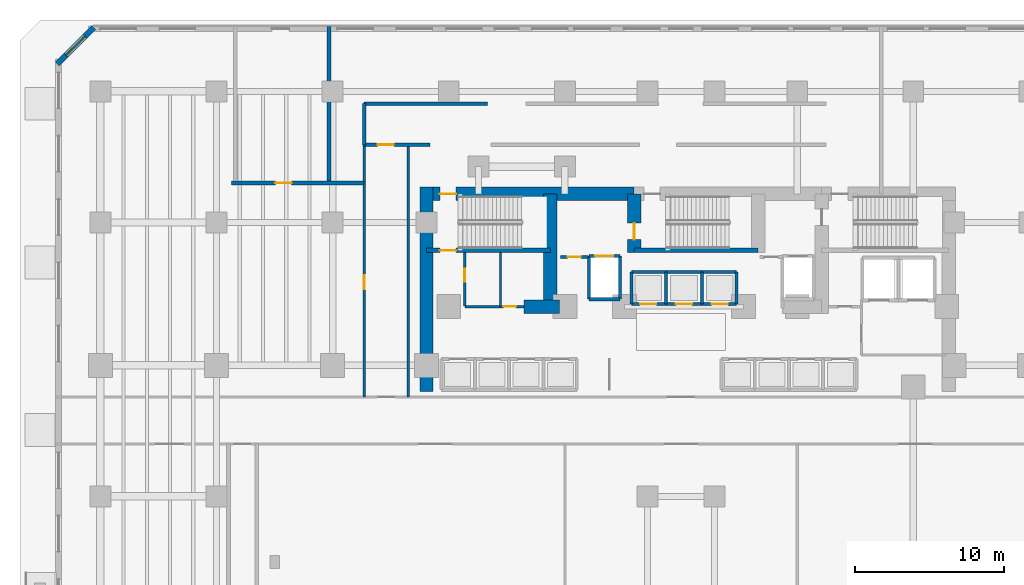
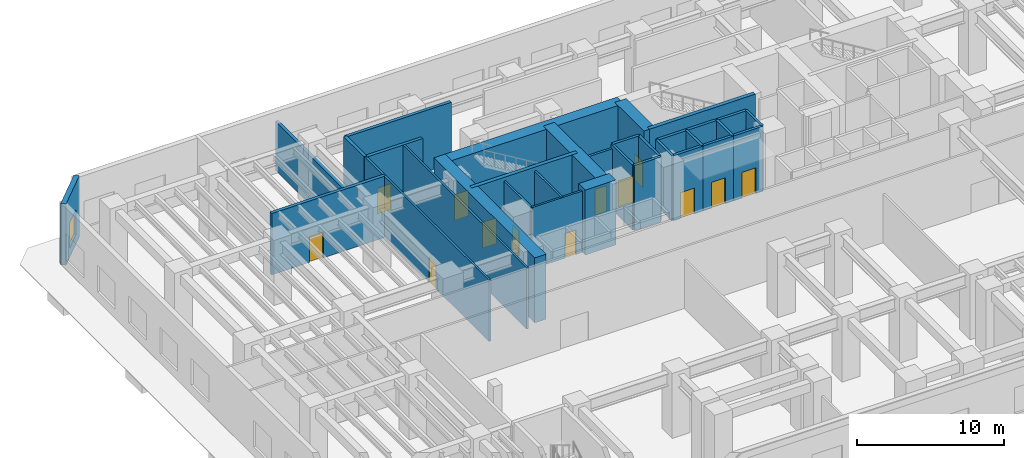
# One storey, part 8 of 17: 33 walls, 13 doors, 1 window, 14 openings.
"""IFC4 building model written with IfcOpenShell, lengths in metres."""

import ifcopenshell
import ifcopenshell.guid

model = None  # the IFC model being written
_history = None  # IfcOwnerHistory: only IFC2X3 demands one
_inside = {}  # id of a spatial element -> (the spatial element, [elements in it])
_under = {}  # id of a project, library or spatial element -> (it, [spatial elements below it])
_declared = {}  # id of a project -> (the project, [libraries it declares])
_typed = {}  # id of a type object -> (the type object, [elements of that type])
_made_of = {}  # id of a material, layer set ... -> (it, [elements and type objects made of it])


def new_model(schema):
    """Start an empty IFC model of exactly this schema.

    Asked for "IFC4X3", IfcOpenShell would pick the latest addendum, in which some entities
    have other attributes; the version numbers below select the first issue.
    IFC2X3 requires an IfcOwnerHistory on every rooted entity: one is made here for all.
    """
    global model, _history
    if schema == "IFC4X3":
        model = ifcopenshell.file(schema_version=(4, 3, 0, 0))
    else:
        model = ifcopenshell.file(schema=schema)
    _inside.clear()
    _under.clear()
    _declared.clear()
    _typed.clear()
    _made_of.clear()
    _history = None
    if model.schema == "IFC2X3":
        org = make("IfcOrganization", Name="unknown")
        user = make(
            "IfcPersonAndOrganization",
            ThePerson=make("IfcPerson", FamilyName="unknown"),
            TheOrganization=org,
        )
        app = make(
            "IfcApplication",
            ApplicationDeveloper=org,
            Version="unknown",
            ApplicationFullName="unknown",
            ApplicationIdentifier="unknown",
        )
        _history = make(
            "IfcOwnerHistory",
            OwningUser=user,
            OwningApplication=app,
            ChangeAction="ADDED",
            CreationDate=0,
        )
    return model


def make(cls, **values):
    """One entity of the class cls with the attributes given. An attribute that is None is left unset."""
    return model.create_entity(
        cls, **{name: value for name, value in values.items() if value is not None}
    )


def rooted(cls, **values):
    """An entity with a GlobalId (a new one), such as an element, a storey or a relation."""
    return make(cls, GlobalId=ifcopenshell.guid.new(), OwnerHistory=_history, **values)


def si_unit(unit_type, name, prefix=None):
    """IfcSIUnit, for example si_unit("LENGTHUNIT", "METRE", prefix="MILLI")."""
    return make("IfcSIUnit", UnitType=unit_type, Prefix=prefix, Name=name)


def assignment(units):
    """IfcUnitAssignment: the units of a project."""
    return None if units is None else make("IfcUnitAssignment", Units=units)


def point(xyz):
    """IfcCartesianPoint."""
    return None if xyz is None else make("IfcCartesianPoint", Coordinates=xyz)


def direction(xyz):
    """IfcDirection."""
    return None if xyz is None else make("IfcDirection", DirectionRatios=xyz)


def frame(location, z_axis=None, x_axis=None):
    """IfcAxis2Placement3D, a coordinate frame: its origin and axes. An axis left out is left unset."""
    return make(
        "IfcAxis2Placement3D",
        Location=point(location),
        Axis=direction(z_axis),
        RefDirection=direction(x_axis),
    )


def frame_2d(location, x_axis=None):
    """IfcAxis2Placement2D, a coordinate frame in the plane: its origin and x axis."""
    return make(
        "IfcAxis2Placement2D", Location=point(location), RefDirection=direction(x_axis)
    )


def origin():
    """The frame at (0, 0, 0) with its axes left unset."""
    return frame((0.0, 0.0, 0.0))


def place(relative_to, where):
    """IfcLocalPlacement: puts the frame where relative to a parent placement (None: the world)."""
    return make(
        "IfcLocalPlacement", PlacementRelTo=relative_to, RelativePlacement=where
    )


def context(
    kind, dimensions, precision=None, world=None, true_north=None, identifier=None
):
    """IfcGeometricRepresentationContext, for example the 3D "Model" context."""
    return make(
        "IfcGeometricRepresentationContext",
        ContextIdentifier=identifier,
        ContextType=kind,
        CoordinateSpaceDimension=dimensions,
        Precision=precision,
        WorldCoordinateSystem=world,
        TrueNorth=true_north,
    )


def subcontext(parent, identifier, kind, view, scale=None):
    """IfcGeometricRepresentationSubContext, for example "Body" below "Model"."""
    return make(
        "IfcGeometricRepresentationSubContext",
        ContextIdentifier=identifier,
        ContextType=kind,
        ParentContext=parent,
        TargetScale=scale,
        TargetView=view,
    )


def project(units=None, contexts=None):
    """IfcProject with its units and contexts."""
    return rooted(
        "IfcProject",
        Name="project",
        RepresentationContexts=contexts,
        UnitsInContext=assignment(units),
    )


def spatial(cls, under=None, at=None, **own):
    """A site, building, storey or space (cls), placed at a placement, below another one or the project."""
    s = rooted(cls, ObjectPlacement=at, **own)
    if under is not None:
        _under.setdefault(under.id(), (under, []))[1].append(s)
    return s


def profile(cls, at=None, kind="AREA", **sizes):
    """A parametric profile (cls). Its sizes go by their IFC names, for example OverallWidth=200.0."""
    return make(cls, ProfileType=kind, Position=at, **sizes)


def rectangle(**sizes):
    """IfcRectangleProfileDef."""
    return profile("IfcRectangleProfileDef", **sizes)


def extrude(swept, where, along, depth):
    """IfcExtrudedAreaSolid: the profile swept, set in the frame where, extruded along a direction by depth."""
    return make(
        "IfcExtrudedAreaSolid",
        SweptArea=swept,
        Position=where,
        ExtrudedDirection=direction(along),
        Depth=depth,
    )


def shape(context_of_items, identifier, shape_type, items):
    """IfcShapeRepresentation: the items that make up one representation, for example the "Body"."""
    return make(
        "IfcShapeRepresentation",
        ContextOfItems=context_of_items,
        RepresentationIdentifier=identifier,
        RepresentationType=shape_type,
        Items=items,
    )


def material(Name=None, Category=None):
    """IfcMaterial."""
    return make("IfcMaterial", Name=Name, Category=Category)


def layer(
    of_material, thickness, ventilated=None, Name=None, Category=None, Priority=None
):
    """IfcMaterialLayer: one layer of a wall or slab, of a material (None: an air gap)."""
    return make(
        "IfcMaterialLayer",
        Material=of_material,
        LayerThickness=thickness,
        IsVentilated=ventilated,
        Name=Name,
        Category=Category,
        Priority=Priority,
    )


def layer_set(layers, Name=None):
    """IfcMaterialLayerSet."""
    return make("IfcMaterialLayerSet", MaterialLayers=layers, LayerSetName=Name)


def made_of(thing, what):
    """Note that an element or type object is made of a material, layer set ...; save() writes the relation."""
    if what is not None:
        _made_of.setdefault(what.id(), (what, []))[1].append(thing)
    return thing


def type_object(cls, material=None, **own):
    """A type object (cls), such as IfcWallType, which elements share."""
    return made_of(rooted(cls, **own), material)


def element(
    cls,
    number,
    at=None,
    inside=None,
    cuts=None,
    type_object=None,
    material=None,
    context=None,
    identifier="Body",
    shape_type=None,
    held_by="IfcProductDefinitionShape",
    body=None,
    shapes=None,
    **own,
):
    """One element of the class cls, such as IfcWall. Its Tag is "e" and its number.

    at: its placement. inside: the storey or other place that contains it. cuts: it is an
    opening in that element (IfcRelVoidsElement). A single representation is given by context,
    identifier, shape_type and body (its items); several are given by shapes. held_by: the class
    of the entity that holds the representations. save() writes the other relations.
    """
    e = rooted(cls, Tag="e%d" % number, ObjectPlacement=at, **own)
    if body is not None:
        shapes = [shape(context, identifier, shape_type, body)]
    if shapes is not None:
        e.Representation = make(held_by, Representations=shapes)
    if inside is not None:
        _inside.setdefault(inside.id(), (inside, []))[1].append(e)
    if cuts is not None:
        rooted(
            "IfcRelVoidsElement", RelatingBuildingElement=cuts, RelatedOpeningElement=e
        )
    if type_object is not None:
        _typed.setdefault(type_object.id(), (type_object, []))[1].append(e)
    return made_of(e, material)


def fill(opening, filler):
    """IfcRelFillsElement: the door or window that sits in an opening."""
    return rooted(
        "IfcRelFillsElement",
        RelatingOpeningElement=opening,
        RelatedBuildingElement=filler,
    )


def aggregate(whole, parts):
    """IfcRelAggregates: a whole, such as a stair, and the parts it consists of."""
    return rooted("IfcRelAggregates", RelatingObject=whole, RelatedObjects=parts)


def save(model, path):
    """Write the relations noted so far, then the file.

    IfcRelAggregates (storeys below a building ...), IfcRelContainedInSpatialStructure (elements
    in a storey), IfcRelDefinesByType, IfcRelAssociatesMaterial and IfcRelDeclares: one each for
    every whole, place, type object, material and project.
    """
    for whole, parts in _under.values():
        aggregate(whole, parts)
    for where, things in _inside.values():
        rooted(
            "IfcRelContainedInSpatialStructure",
            RelatedElements=things,
            RelatingStructure=where,
        )
    for kind, things in _typed.values():
        rooted("IfcRelDefinesByType", RelatedObjects=things, RelatingType=kind)
    for what, things in _made_of.values():
        rooted("IfcRelAssociatesMaterial", RelatedObjects=things, RelatingMaterial=what)
    for by, libraries in _declared.values():
        rooted("IfcRelDeclares", RelatingContext=by, RelatedDefinitions=libraries)
    model.write(path)


model = new_model("IFC4")

# Units and contexts
model_context = context("Model", 3, precision=1e-05, world=origin(), true_north=direction((0.0, 1.0)))
body_context = subcontext(model_context, "Body", "Model", "MODEL_VIEW")
ifc_project = project(units=[si_unit("LENGTHUNIT", "METRE"), si_unit("AREAUNIT", "SQUARE_METRE"), si_unit("VOLUMEUNIT", "CUBIC_METRE"), si_unit("PLANEANGLEUNIT", "RADIAN"), si_unit("MASSUNIT", "GRAM", prefix="KILO")], contexts=[model_context])

# Site, building, storey
site_placement = place(None, origin())
site = spatial("IfcSite", under=ifc_project, at=site_placement, CompositionType="ELEMENT")
building_placement = place(site_placement, origin())
building = spatial("IfcBuilding", under=site, at=building_placement, Name="Kestravale Grand Hotel", CompositionType="ELEMENT")
storey_placement = place(building_placement, origin())
storey = spatial("IfcBuildingStorey", under=building, at=storey_placement, Name="L00", CompositionType="ELEMENT", Elevation=0.0)

# Wall, opening, door
ifc_material_1 = material(Name="Concrete f'c 70 MPa", Category="concrete")
ifc_layer_1 = layer(ifc_material_1, 0.89990234375)
ifc_layer_set_1 = layer_set([ifc_layer_1], Name="EW-CORE-900")
wall_type_1 = type_object("IfcWallType", Name="EW-CORE-900", PredefinedType="SHEAR", material=ifc_layer_set_1)
wall_1_placement = place(storey_placement, frame((21.449951171875, 40.320068359375, 0.0), z_axis=(0.0, 0.0, 1.0), x_axis=(1.0, 0.0, 0.0)))
wall_1 = element("IfcWall", 1, at=wall_1_placement, inside=storey, type_object=wall_type_1, Name="L00 core shear wall N1", PredefinedType="SHEAR", context=body_context, shape_type="SweptSolid", body=[
    extrude(rectangle(XDim=14.400146484375, YDim=0.89990234375, at=frame_2d((7.2001953125, 0.0))), origin(), (0.0, 0.0, 1.0), 5.39990234375),
])
opening_1_placement = place(wall_1_placement, frame((1.35009765625, 0.0, 0.0)))
opening_1 = element("IfcOpeningElement", 2, at=opening_1_placement, cuts=wall_1, Name="Opening D-ST-1100", PredefinedType="OPENING", context=body_context, shape_type="SweptSolid", body=[
    extrude(rectangle(XDim=1.10009765625, YDim=2.14990234375, at=frame_2d((0.550048828125, 1.074951171875))), frame((0.0, 0.4599609375, 0.0), z_axis=(0.0, -1.0, 0.0), x_axis=(1.0, 0.0, 0.0)), (0.0, 0.0, 1.0), 0.919921875),
])
ifc_material_2 = material(Name="Galvanised 90-minute fire-rated steel stair door", Category="steel")
door_type_1 = type_object("IfcDoorType", Name="D-ST-1100", OperationType="NOTDEFINED", PredefinedType="DOOR", material=ifc_material_2)
door_1_placement = place(opening_1_placement, origin())
door_1 = element("IfcDoor", 3, at=door_1_placement, inside=storey, type_object=door_type_1, Name="L00 Stair ST1 exit passageway discharge door", OperationType="SINGLE_SWING_LEFT", OverallHeight=2.14990234375, OverallWidth=1.10009765625, PredefinedType="DOOR", context=body_context, shape_type="SweptSolid", body=[
    extrude(rectangle(XDim=1.10009765625, YDim=2.14990234375, at=frame_2d((0.550048828125, 1.074951171875))), frame((0.0, 0.02490234375, 0.0), z_axis=(0.0, -1.0, 0.0), x_axis=(1.0, 0.0, 0.0)), (0.0, 0.0, 1.0), 0.050048828125),
])
fill(opening_1, door_1)

# Walls
wall_2_placement = place(storey_placement, frame((21.89990234375, 27.050048828125, 0.0), z_axis=(0.0, 0.0, 1.0), x_axis=(0.0, 1.0, 0.0)))
element("IfcWall", 4, at=wall_2_placement, inside=storey, type_object=wall_type_1, Name="L00 core shear wall W1", PredefinedType="SHEAR", context=body_context, shape_type="SweptSolid", body=[
    extrude(rectangle(XDim=13.719970703125, YDim=0.89990234375, at=frame_2d((6.85986328125, 0.0))), origin(), (0.0, 0.0, 1.0), 5.39990234375),
])
wall_3_placement = place(storey_placement, frame((28.449951171875, 32.75, 0.0), z_axis=(0.0, 0.0, 1.0), x_axis=(1.0, 0.0, 0.0)))
element("IfcWall", 5, at=wall_3_placement, inside=storey, type_object=wall_type_1, Name="L00 core shear wall S1", PredefinedType="SHEAR", context=body_context, shape_type="SweptSolid", body=[
    extrude(rectangle(XDim=2.400146484375, YDim=0.89990234375, at=frame_2d((1.2001953125, 0.0))), origin(), (0.0, 0.0, 1.0), 5.39990234375),
])
wall_4_placement = place(storey_placement, frame((30.219970703125, 33.199951171875, 0.0), z_axis=(0.0, 0.0, 1.0), x_axis=(0.0, 1.0, 0.0)))
element("IfcWall", 6, at=wall_4_placement, inside=storey, type_object=wall_type_1, Name="L00 core shear wall X1", PredefinedType="SHEAR", context=body_context, shape_type="SweptSolid", body=[
    extrude(rectangle(XDim=7.1201171875, YDim=0.89990234375, at=frame_2d((3.56005859375, 0.0))), origin(), (0.0, 0.0, 1.0), 5.39990234375),
])

# Wall, opening, door
wall_5_placement = place(storey_placement, frame((35.85009765625, 36.3701171875, 0.0), z_axis=(0.0, 0.0, 1.0), x_axis=(0.0, 1.0, 0.0)))
wall_5 = element("IfcWall", 7, at=wall_5_placement, inside=storey, type_object=wall_type_1, Name="L00 core shear wall X2", PredefinedType="SHEAR", context=body_context, shape_type="SweptSolid", body=[
    extrude(rectangle(XDim=3.949951171875, YDim=0.89990234375, at=frame_2d((1.97509765625, 0.0))), origin(), (0.0, 0.0, 1.0), 5.39990234375),
])
opening_2_placement = place(wall_5_placement, frame((0.8798828125, 0.0, 0.0)))
opening_2 = element("IfcOpeningElement", 8, at=opening_2_placement, cuts=wall_5, Name="Opening D-ST-1100", PredefinedType="OPENING", context=body_context, shape_type="SweptSolid", body=[
    extrude(rectangle(XDim=1.10009765625, YDim=2.14990234375, at=frame_2d((0.550048828125, 1.074951171875))), frame((0.0, 0.4599609375, 0.0), z_axis=(0.0, -1.0, 0.0), x_axis=(1.0, 0.0, 0.0)), (0.0, 0.0, 1.0), 0.919921875),
])
door_2_placement = place(opening_2_placement, origin())
door_2 = element("IfcDoor", 9, at=door_2_placement, inside=storey, type_object=door_type_1, Name="L00 Stair ST-2 FSAE fire door", OperationType="SINGLE_SWING_RIGHT", OverallHeight=2.14990234375, OverallWidth=1.10009765625, PredefinedType="DOOR", context=body_context, shape_type="SweptSolid", body=[
    extrude(rectangle(XDim=1.10009765625, YDim=2.14990234375, at=frame_2d((0.550048828125, 1.074951171875))), frame((0.0, 0.02490234375, 0.0), z_axis=(0.0, -1.0, 0.0), x_axis=(1.0, 0.0, 0.0)), (0.0, 0.0, 1.0), 0.050048828125),
])
fill(opening_2, door_2)

# Wall, opening, window
ifc_material_3 = material(Name="Precast concrete f'c 45 MPa", Category="concrete")
ifc_layer_2 = layer(ifc_material_3, 0.3798828125)
ifc_layer_set_2 = layer_set([ifc_layer_2], Name="EW-POD-380")
wall_type_2 = type_object("IfcWallType", Name="EW-POD-380", PredefinedType="SOLIDWALL", material=ifc_layer_set_2)
wall_6_placement = place(storey_placement, frame((-2.893798828125, 49.037353515625, 0.0), z_axis=(0.0, 0.0, 1.0), x_axis=(0.707071641081, 0.707141919546, 0.0)))
wall_6 = element("IfcWall", 10, at=wall_6_placement, inside=storey, type_object=wall_type_2, Name="L00 fluted precast facade wall 6", PredefinedType="SOLIDWALL", context=body_context, shape_type="SweptSolid", body=[
    extrude(rectangle(XDim=3.473876953125, YDim=0.3798828125, at=frame_2d((1.73681640625, 0.0))), origin(), (0.0, 0.0, 1.0), 5.10009765625),
])
opening_3_placement = place(wall_6_placement, frame((0.8369140625, 0.0, 0.800048828125)))
opening_3 = element("IfcOpeningElement", 11, at=opening_3_placement, cuts=wall_6, Name="Opening W-POD-1800", PredefinedType="OPENING", context=body_context, shape_type="SweptSolid", body=[
    extrude(rectangle(XDim=1.800048828125, YDim=2.10009765625, at=frame_2d((0.89990234375, 1.050048828125))), frame((0.0, 0.199951171875, 0.0), z_axis=(0.0, -1.0, 0.0), x_axis=(1.0, 0.0, 0.0)), (0.0, 0.0, 1.0), 0.39990234375),
])
ifc_material_4 = material(Name="Insulated low-E double glazing in aluminium frame", Category="aluminium")
window_type = type_object("IfcWindowType", Name="W-POD-1800", PartitioningType="DOUBLE_PANEL_VERTICAL", PredefinedType="WINDOW", material=ifc_material_4)
window_placement = place(opening_3_placement, origin())
window = element("IfcWindow", 12, at=window_placement, inside=storey, type_object=window_type, Name="L00 exterior window 6.1", OverallHeight=2.10009765625, OverallWidth=1.800048828125, PartitioningType="SINGLE_PANEL", PredefinedType="WINDOW", context=body_context, shape_type="SweptSolid", body=[
    extrude(rectangle(XDim=1.800048828125, YDim=2.10009765625, at=frame_2d((0.89990234375, 1.050048828125))), frame((0.0, 0.030029296875, 0.0), z_axis=(0.0, -1.0, 0.0), x_axis=(1.0, 0.0, 0.0)), (0.0, 0.0, 1.0), 0.06005859375),
])
fill(opening_3, window)

# Wall, opening, door
ifc_material_5 = material(Name="Concrete f'c 45 MPa", Category="concrete")
ifc_layer_3 = layer(ifc_material_5, 0.300048828125)
ifc_layer_set_3 = layer_set([ifc_layer_3], Name="EW-STAIR-300")
wall_type_3 = type_object("IfcWallType", Name="EW-STAIR-300", PredefinedType="SHEAR", material=ifc_layer_set_3)
wall_7_placement = place(storey_placement, frame((21.89990234375, 36.52001953125, 0.0), z_axis=(0.0, 0.0, 1.0), x_axis=(1.0, 0.0, 0.0)))
wall_7 = element("IfcWall", 13, at=wall_7_placement, inside=storey, type_object=wall_type_3, Name="L00 stair enclosure shear wall SST1", PredefinedType="SHEAR", context=body_context, shape_type="SweptSolid", body=[
    extrude(rectangle(XDim=8.320068359375, YDim=0.300048828125, at=frame_2d((4.16015625, 0.0))), origin(), (0.0, 0.0, 1.0), 5.39990234375),
])
opening_4_placement = place(wall_7_placement, frame((0.89990234375, 0.0, 0.0)))
opening_4 = element("IfcOpeningElement", 14, at=opening_4_placement, cuts=wall_7, Name="Opening D-ST-1100", PredefinedType="OPENING", context=body_context, shape_type="SweptSolid", body=[
    extrude(rectangle(XDim=1.10009765625, YDim=2.14990234375, at=frame_2d((0.550048828125, 1.074951171875))), frame((0.0, 0.159912109375, 0.0), z_axis=(0.0, -1.0, 0.0), x_axis=(1.0, 0.0, 0.0)), (0.0, 0.0, 1.0), 0.320068359375),
])
door_3_placement = place(opening_4_placement, origin())
door_3 = element("IfcDoor", 15, at=door_3_placement, inside=storey, type_object=door_type_1, Name="L00 Stair ST-1 fire door", OperationType="SINGLE_SWING_RIGHT", OverallHeight=2.14990234375, OverallWidth=1.10009765625, PredefinedType="DOOR", context=body_context, shape_type="SweptSolid", body=[
    extrude(rectangle(XDim=1.10009765625, YDim=2.14990234375, at=frame_2d((0.550048828125, 1.074951171875))), frame((0.0, 0.02490234375, 0.0), z_axis=(0.0, -1.0, 0.0), x_axis=(1.0, 0.0, 0.0)), (0.0, 0.0, 1.0), 0.050048828125),
])
fill(opening_4, door_3)

# Wall
wall_8_placement = place(storey_placement, frame((35.85009765625, 36.52001953125, 0.0), z_axis=(0.0, 0.0, 1.0), x_axis=(1.0, 0.0, 0.0)))
element("IfcWall", 16, at=wall_8_placement, inside=storey, type_object=wall_type_3, Name="L00 stair enclosure shear wall SST2", PredefinedType="SHEAR", context=body_context, shape_type="SweptSolid", body=[
    extrude(rectangle(XDim=8.329833984375, YDim=0.300048828125, at=frame_2d((4.1650390625, 0.0))), origin(), (0.0, 0.0, 1.0), 5.39990234375),
])

# Wall, opening, door
ifc_material_6 = material(Name="Acoustic fire-rated gypsum board partition", Category="other")
ifc_layer_4 = layer(ifc_material_6, 0.159912109375)
ifc_layer_set_4 = layer_set([ifc_layer_4], Name="IW-CORR-160")
wall_type_4 = type_object("IfcWallType", Name="IW-CORR-160", PredefinedType="PARTITIONING", material=ifc_layer_set_4)
wall_9_placement = place(storey_placement, frame((24.47998046875, 32.800048828125, 0.0), z_axis=(0.0, 0.0, 1.0), x_axis=(0.0, 1.0, 0.0)))
wall_9 = element("IfcWall", 17, at=wall_9_placement, inside=storey, type_object=wall_type_4, Name="L00 west core vestibule wall", PredefinedType="PARTITIONING", context=body_context, shape_type="SweptSolid", body=[
    extrude(rectangle(XDim=3.570068359375, YDim=0.159912109375, at=frame_2d((1.78515625, 0.0))), origin(), (0.0, 0.0, 1.0), 5.10009765625),
])
opening_5_placement = place(wall_9_placement, frame((1.603515625, 0.0, 0.0)))
opening_5 = element("IfcOpeningElement", 18, at=opening_5_placement, cuts=wall_9, Name="Opening D-SH-900", PredefinedType="OPENING", context=body_context, shape_type="SweptSolid", body=[
    extrude(rectangle(XDim=0.89990234375, YDim=2.10009765625, at=frame_2d((0.449951171875, 1.050048828125))), frame((0.0, 0.08984375, 0.0), z_axis=(0.0, -1.0, 0.0), x_axis=(1.0, 0.0, 0.0)), (0.0, 0.0, 1.0), 0.179931640625),
])
ifc_material_7 = material(Name="Galvanised 90-minute shaft and service fire door", Category="steel")
door_type_2 = type_object("IfcDoorType", Name="D-SH-900", OperationType="NOTDEFINED", PredefinedType="DOOR", material=ifc_material_7)
door_4_placement = place(opening_5_placement, origin())
door_4 = element("IfcDoor", 19, at=door_4_placement, inside=storey, type_object=door_type_2, Name="D-L00-HK", OperationType="SINGLE_SWING_RIGHT", OverallHeight=2.10009765625, OverallWidth=0.89990234375, PredefinedType="DOOR", context=body_context, shape_type="SweptSolid", body=[
    extrude(rectangle(XDim=0.89990234375, YDim=2.10009765625, at=frame_2d((0.449951171875, 1.050048828125))), frame((0.0, 0.02490234375, 0.0), z_axis=(0.0, -1.0, 0.0), x_axis=(1.0, 0.0, 0.0)), (0.0, 0.0, 1.0), 0.050048828125),
])
fill(opening_5, door_4)

wall_10_placement = place(storey_placement, frame((24.47998046875, 32.75, 0.0), z_axis=(0.0, 0.0, 1.0), x_axis=(1.0, 0.0, 0.0)))
wall_10 = element("IfcWall", 20, at=wall_10_placement, inside=storey, type_object=wall_type_4, Name="W-L00-CWS", PredefinedType="PARTITIONING", context=body_context, shape_type="SweptSolid", body=[
    extrude(rectangle(XDim=3.969970703125, YDim=0.159912109375, at=frame_2d((1.98486328125, 0.0))), origin(), (0.0, 0.0, 1.0), 5.10009765625),
])
opening_6_placement = place(wall_10_placement, frame((2.5849609375, 0.0, 0.0)))
opening_6 = element("IfcOpeningElement", 21, at=opening_6_placement, cuts=wall_10, Name="Opening D-SH-860", PredefinedType="OPENING", context=body_context, shape_type="SweptSolid", body=[
    extrude(rectangle(XDim=0.860107421875, YDim=2.050048828125, at=frame_2d((0.43017578125, 1.02490234375))), frame((0.0, 0.08984375, 0.0), z_axis=(0.0, -1.0, 0.0), x_axis=(1.0, 0.0, 0.0)), (0.0, 0.0, 1.0), 0.179931640625),
])
ifc_material_8 = material(Name="Galvanised 90-minute riser fire door", Category="steel")
door_type_3 = type_object("IfcDoorType", Name="D-SH-860", OperationType="NOTDEFINED", PredefinedType="DOOR", material=ifc_material_8)
door_5_placement = place(opening_6_placement, origin())
door_5 = element("IfcDoor", 22, at=door_5_placement, inside=storey, type_object=door_type_3, Name="D-L00-ELEC", OperationType="SINGLE_SWING_RIGHT", OverallHeight=2.050048828125, OverallWidth=0.860107421875, PredefinedType="DOOR", context=body_context, shape_type="SweptSolid", body=[
    extrude(rectangle(XDim=0.860107421875, YDim=2.050048828125, at=frame_2d((0.43017578125, 1.02490234375))), frame((0.0, 0.02490234375, 0.0), z_axis=(0.0, -1.0, 0.0), x_axis=(1.0, 0.0, 0.0)), (0.0, 0.0, 1.0), 0.050048828125),
])
fill(opening_6, door_5)

wall_11_placement = place(storey_placement, frame((17.719970703125, 26.679931640625, 0.0), z_axis=(0.0, 0.0, 1.0), x_axis=(0.0, 1.0, 0.0)))
wall_11 = element("IfcWall", 23, at=wall_11_placement, inside=storey, type_object=wall_type_4, Name="W-L00-WNC-W", PredefinedType="PARTITIONING", context=body_context, shape_type="SweptSolid", body=[
    extrude(rectangle(XDim=16.940185546875, YDim=0.159912109375, at=frame_2d((8.47021484375, 0.0))), origin(), (0.0, 0.0, 1.0), 5.10009765625),
])
opening_7_placement = place(wall_11_placement, frame((7.239501953125, 0.0, 0.0)))
opening_7 = element("IfcOpeningElement", 24, at=opening_7_placement, cuts=wall_11, Name="Opening D-GUEST-950", PredefinedType="OPENING", context=body_context, shape_type="SweptSolid", body=[
    extrude(rectangle(XDim=0.949951171875, YDim=2.10009765625, at=frame_2d((0.47509765625, 1.050048828125))), frame((0.0, 0.08984375, 0.0), z_axis=(0.0, -1.0, 0.0), x_axis=(1.0, 0.0, 0.0)), (0.0, 0.0, 1.0), 0.179931640625),
])
ifc_material_9 = material(Name="Walnut veneer hotel guestroom entrance fire door", Category="wood")
door_type_4 = type_object("IfcDoorType", Name="D-GUEST-950", OperationType="NOTDEFINED", PredefinedType="DOOR", material=ifc_material_9)
door_6_placement = place(opening_7_placement, origin())
door_6 = element("IfcDoor", 25, at=door_6_placement, inside=storey, type_object=door_type_4, Name="D-L00-LUGG", OperationType="SINGLE_SWING_RIGHT", OverallHeight=2.10009765625, OverallWidth=0.949951171875, PredefinedType="DOOR", context=body_context, shape_type="SweptSolid", body=[
    extrude(rectangle(XDim=0.949951171875, YDim=2.10009765625, at=frame_2d((0.47509765625, 1.050048828125))), frame((0.0, 0.02490234375, 0.0), z_axis=(0.0, -1.0, 0.0), x_axis=(1.0, 0.0, 0.0)), (0.0, 0.0, 1.0), 0.050048828125),
])
fill(opening_7, door_6)

# Wall
wall_12_placement = place(storey_placement, frame((20.679931640625, 26.679931640625, 0.0), z_axis=(0.0, 0.0, 1.0), x_axis=(0.0, 1.0, 0.0)))
element("IfcWall", 26, at=wall_12_placement, inside=storey, type_object=wall_type_4, Name="W-L00-WNC-E", PredefinedType="PARTITIONING", context=body_context, shape_type="SweptSolid", body=[
    extrude(rectangle(XDim=16.940185546875, YDim=0.159912109375, at=frame_2d((8.47021484375, 0.0))), origin(), (0.0, 0.0, 1.0), 5.10009765625),
])

# Wall, opening, door
ifc_material_10 = material(Name="Fire-rated gypsum board on steel studs with mineral wool", Category="steel")
ifc_layer_5 = layer(ifc_material_10, 0.179931640625)
ifc_layer_set_5 = layer_set([ifc_layer_5], Name="IW-FSAE-180")
wall_type_5 = type_object("IfcWallType", Name="IW-FSAE-180", PredefinedType="PARTITIONING", material=ifc_layer_set_5)
wall_13_placement = place(storey_placement, frame((30.89990234375, 36.080078125, 0.0), z_axis=(0.0, 0.0, 1.0), x_axis=(1.0, 0.0, 0.0)))
wall_13 = element("IfcWall", 27, at=wall_13_placement, inside=storey, type_object=wall_type_5, Name="L00 FSAE Lobby 1 smoke barrier", PredefinedType="PARTITIONING", context=body_context, shape_type="SweptSolid", body=[
    extrude(rectangle(XDim=1.85009765625, YDim=0.179931640625, at=frame_2d((0.925048828125, 0.0))), origin(), (0.0, 0.0, 1.0), 5.10009765625),
])
opening_8_placement = place(wall_13_placement, frame((0.47998046875, 0.0, 0.0)))
opening_8 = element("IfcOpeningElement", 28, at=opening_8_placement, cuts=wall_13, Name="Opening D-FSAE-1000", PredefinedType="OPENING", context=body_context, shape_type="SweptSolid", body=[
    extrude(rectangle(XDim=0.89990234375, YDim=2.14990234375, at=frame_2d((0.449951171875, 1.074951171875))), frame((0.0, 0.099853515625, 0.0), z_axis=(0.0, -1.0, 0.0), x_axis=(1.0, 0.0, 0.0)), (0.0, 0.0, 1.0), 0.199951171875),
])
ifc_material_11 = material(Name="Smoke-gasketed FSAE lobby fire door", Category="steel")
door_type_5 = type_object("IfcDoorType", Name="D-FSAE-1000", OperationType="NOTDEFINED", PredefinedType="DOOR", material=ifc_material_11)
door_7_placement = place(opening_8_placement, origin())
door_7 = element("IfcDoor", 29, at=door_7_placement, inside=storey, type_object=door_type_5, Name="L00 FSAE Lobby 1 fire door", OperationType="SINGLE_SWING_RIGHT", OverallHeight=2.14990234375, OverallWidth=0.89990234375, PredefinedType="DOOR", context=body_context, shape_type="SweptSolid", body=[
    extrude(rectangle(XDim=0.89990234375, YDim=2.14990234375, at=frame_2d((0.449951171875, 1.074951171875))), frame((0.0, 0.02490234375, 0.0), z_axis=(0.0, -1.0, 0.0), x_axis=(1.0, 0.0, 0.0)), (0.0, 0.0, 1.0), 0.050048828125),
])
fill(opening_8, door_7)

# Walls
ifc_material_12 = material(Name="Concrete f'c 45 MPa", Category="concrete")
ifc_layer_6 = layer(ifc_material_12, 0.199951171875)
ifc_layer_set_6 = layer_set([ifc_layer_6], Name="IW-SHAFT-200")
wall_type_6 = type_object("IfcWallType", Name="IW-SHAFT-200", PredefinedType="SHEAR", material=ifc_layer_set_6)
for number, where, z_axis, x_axis, name in (
    (30, (35.679931640625, 32.919921875, 0.0), (0.0, 0.0, 1.0), (0.0, 1.0, 0.0), "L00 PL-X1 west shaft wall"),
    (31, (38.0, 32.919921875, 0.0), (0.0, 0.0, 1.0), (0.0, 1.0, 0.0), "L00 PL-X2 west shaft wall"),
    (32, (40.39990234375, 32.919921875, 0.0), (0.0, 0.0, 1.0), (0.0, 1.0, 0.0), "L00 PL-X3 west shaft wall"),
    (33, (42.719970703125, 32.919921875, 0.0), (0.0, 0.0, 1.0), (0.0, 1.0, 0.0), "L00 PL-X3 east shaft wall"),
):
    element("IfcWall", number, at=place(storey_placement, frame(where, z_axis=z_axis, x_axis=x_axis)), inside=storey, type_object=wall_type_6, Name=name, PredefinedType="SHEAR", context=body_context, shape_type="SweptSolid", body=[
        extrude(rectangle(XDim=2.16015625, YDim=0.199951171875, at=frame_2d((1.080078125, 0.0))), origin(), (0.0, 0.0, 1.0), 5.39990234375),
    ])
for number, where, z_axis, x_axis, name in (
    (34, (32.804931640625, 33.2451171875, 0.0), (0.0, 0.0, 1.0), (0.0, 1.0, 0.0), "L00 FL-1 west shaft wall"),
    (35, (34.89501953125, 33.2451171875, 0.0), (0.0, 0.0, 1.0), (0.0, 1.0, 0.0), "L00 FL-1 east shaft wall"),
):
    element("IfcWall", number, at=place(storey_placement, frame(where, z_axis=z_axis, x_axis=x_axis)), inside=storey, type_object=wall_type_6, Name=name, PredefinedType="SHEAR", context=body_context, shape_type="SweptSolid", body=[
        extrude(rectangle(XDim=2.909912109375, YDim=0.199951171875, at=frame_2d((1.455078125, 0.0))), origin(), (0.0, 0.0, 1.0), 5.39990234375),
    ])
ifc_material_13 = material(Name="Concrete f'c 45 MPa", Category="concrete")
ifc_layer_7 = layer(ifc_material_13, 0.219970703125)
ifc_layer_set_7 = layer_set([ifc_layer_7], Name="IW-SHAFT-220")
wall_type_7 = type_object("IfcWallType", Name="IW-SHAFT-220", PredefinedType="SHEAR", material=ifc_layer_set_7)
wall_14_placement = place(storey_placement, frame((35.679931640625, 35.080078125, 0.0), z_axis=(0.0, 0.0, 1.0), x_axis=(1.0, 0.0, 0.0)))
element("IfcWall", 36, at=wall_14_placement, inside=storey, type_object=wall_type_7, Name="L00 PL-X1 north shaft wall", PredefinedType="SHEAR", context=body_context, shape_type="SweptSolid", body=[
    extrude(rectangle(XDim=2.320068359375, YDim=0.219970703125, at=frame_2d((1.16015625, 0.0))), origin(), (0.0, 0.0, 1.0), 5.39990234375),
])

# Wall, opening, door
wall_15_placement = place(storey_placement, frame((35.679931640625, 32.919921875, 0.0), z_axis=(0.0, 0.0, 1.0), x_axis=(1.0, 0.0, 0.0)))
wall_15 = element("IfcWall", 37, at=wall_15_placement, inside=storey, type_object=wall_type_7, Name="L00 PL-X1 south shaft wall", PredefinedType="SHEAR", context=body_context, shape_type="SweptSolid", body=[
    extrude(rectangle(XDim=2.320068359375, YDim=0.219970703125, at=frame_2d((1.16015625, 0.0))), origin(), (0.0, 0.0, 1.0), 5.39990234375),
])
opening_9_placement = place(wall_15_placement, frame((0.570068359375, 0.0, 0.0)))
opening_9 = element("IfcOpeningElement", 38, at=opening_9_placement, cuts=wall_15, Name="Opening LD-PAX-1100", PredefinedType="OPENING", context=body_context, shape_type="SweptSolid", body=[
    extrude(rectangle(XDim=1.10009765625, YDim=2.14990234375, at=frame_2d((0.550048828125, 1.074951171875))), frame((0.0, 0.119873046875, 0.0), z_axis=(0.0, -1.0, 0.0), x_axis=(1.0, 0.0, 0.0)), (0.0, 0.0, 1.0), 0.239990234375),
])
ifc_material_14 = material(Name="Champagne-bronze center-opening sliding elevator landing door", Category="steel")
door_type_6 = type_object("IfcDoorType", Name="LD-PAX-1100", OperationType="NOTDEFINED", PredefinedType="DOOR", material=ifc_material_14)
door_8_placement = place(opening_9_placement, origin())
door_8 = element("IfcDoor", 39, at=door_8_placement, inside=storey, type_object=door_type_6, Name="L00 PL-X1 elevator landing sliding door", OperationType="DOUBLE_DOOR_SLIDING", OverallHeight=2.14990234375, OverallWidth=1.10009765625, PredefinedType="DOOR", context=body_context, shape_type="SweptSolid", body=[
    extrude(rectangle(XDim=1.10009765625, YDim=2.14990234375, at=frame_2d((0.550048828125, 1.074951171875))), frame((0.0, 0.02490234375, 0.0), z_axis=(0.0, -1.0, 0.0), x_axis=(1.0, 0.0, 0.0)), (0.0, 0.0, 1.0), 0.050048828125),
])
fill(opening_9, door_8)

# Wall
wall_16_placement = place(storey_placement, frame((38.0, 35.080078125, 0.0), z_axis=(0.0, 0.0, 1.0), x_axis=(1.0, 0.0, 0.0)))
element("IfcWall", 40, at=wall_16_placement, inside=storey, type_object=wall_type_7, Name="L00 PL-X2 north shaft wall", PredefinedType="SHEAR", context=body_context, shape_type="SweptSolid", body=[
    extrude(rectangle(XDim=2.39990234375, YDim=0.219970703125, at=frame_2d((1.199951171875, 0.0))), origin(), (0.0, 0.0, 1.0), 5.39990234375),
])

# Wall, opening, door
wall_17_placement = place(storey_placement, frame((38.0, 32.919921875, 0.0), z_axis=(0.0, 0.0, 1.0), x_axis=(1.0, 0.0, 0.0)))
wall_17 = element("IfcWall", 41, at=wall_17_placement, inside=storey, type_object=wall_type_7, Name="L00 PL-X2 south shaft wall", PredefinedType="SHEAR", context=body_context, shape_type="SweptSolid", body=[
    extrude(rectangle(XDim=2.39990234375, YDim=0.219970703125, at=frame_2d((1.199951171875, 0.0))), origin(), (0.0, 0.0, 1.0), 5.39990234375),
])
opening_10_placement = place(wall_17_placement, frame((0.64990234375, 0.0, 0.0)))
opening_10 = element("IfcOpeningElement", 42, at=opening_10_placement, cuts=wall_17, Name="Opening LD-PAX-1100", PredefinedType="OPENING", context=body_context, shape_type="SweptSolid", body=[
    extrude(rectangle(XDim=1.10009765625, YDim=2.14990234375, at=frame_2d((0.550048828125, 1.074951171875))), frame((0.0, 0.119873046875, 0.0), z_axis=(0.0, -1.0, 0.0), x_axis=(1.0, 0.0, 0.0)), (0.0, 0.0, 1.0), 0.239990234375),
])
door_9_placement = place(opening_10_placement, origin())
door_9 = element("IfcDoor", 43, at=door_9_placement, inside=storey, type_object=door_type_6, Name="L00 PL-X2 elevator landing sliding door", OperationType="DOUBLE_DOOR_SLIDING", OverallHeight=2.14990234375, OverallWidth=1.10009765625, PredefinedType="DOOR", context=body_context, shape_type="SweptSolid", body=[
    extrude(rectangle(XDim=1.10009765625, YDim=2.14990234375, at=frame_2d((0.550048828125, 1.074951171875))), frame((0.0, 0.02490234375, 0.0), z_axis=(0.0, -1.0, 0.0), x_axis=(1.0, 0.0, 0.0)), (0.0, 0.0, 1.0), 0.050048828125),
])
fill(opening_10, door_9)

# Wall
wall_18_placement = place(storey_placement, frame((40.39990234375, 35.080078125, 0.0), z_axis=(0.0, 0.0, 1.0), x_axis=(1.0, 0.0, 0.0)))
element("IfcWall", 44, at=wall_18_placement, inside=storey, type_object=wall_type_7, Name="L00 PL-X3 north shaft wall", PredefinedType="SHEAR", context=body_context, shape_type="SweptSolid", body=[
    extrude(rectangle(XDim=2.320068359375, YDim=0.219970703125, at=frame_2d((1.16015625, 0.0))), origin(), (0.0, 0.0, 1.0), 5.39990234375),
])

# Wall, opening, door
wall_19_placement = place(storey_placement, frame((40.39990234375, 32.919921875, 0.0), z_axis=(0.0, 0.0, 1.0), x_axis=(1.0, 0.0, 0.0)))
wall_19 = element("IfcWall", 45, at=wall_19_placement, inside=storey, type_object=wall_type_7, Name="L00 PL-X3 south shaft wall", PredefinedType="SHEAR", context=body_context, shape_type="SweptSolid", body=[
    extrude(rectangle(XDim=2.320068359375, YDim=0.219970703125, at=frame_2d((1.16015625, 0.0))), origin(), (0.0, 0.0, 1.0), 5.39990234375),
])
opening_11_placement = place(wall_19_placement, frame((0.64990234375, 0.0, 0.0)))
opening_11 = element("IfcOpeningElement", 46, at=opening_11_placement, cuts=wall_19, Name="Opening LD-PAX-1100", PredefinedType="OPENING", context=body_context, shape_type="SweptSolid", body=[
    extrude(rectangle(XDim=1.10009765625, YDim=2.14990234375, at=frame_2d((0.550048828125, 1.074951171875))), frame((0.0, 0.119873046875, 0.0), z_axis=(0.0, -1.0, 0.0), x_axis=(1.0, 0.0, 0.0)), (0.0, 0.0, 1.0), 0.239990234375),
])
door_10_placement = place(opening_11_placement, origin())
door_10 = element("IfcDoor", 47, at=door_10_placement, inside=storey, type_object=door_type_6, Name="L00 PL-X3 elevator landing sliding door", OperationType="DOUBLE_DOOR_SLIDING", OverallHeight=2.14990234375, OverallWidth=1.10009765625, PredefinedType="DOOR", context=body_context, shape_type="SweptSolid", body=[
    extrude(rectangle(XDim=1.10009765625, YDim=2.14990234375, at=frame_2d((0.550048828125, 1.074951171875))), frame((0.0, 0.02490234375, 0.0), z_axis=(0.0, -1.0, 0.0), x_axis=(1.0, 0.0, 0.0)), (0.0, 0.0, 1.0), 0.050048828125),
])
fill(opening_11, door_10)

wall_20_placement = place(storey_placement, frame((32.804931640625, 36.155029296875, 0.0), z_axis=(0.0, 0.0, 1.0), x_axis=(1.0, 0.0, 0.0)))
wall_20 = element("IfcWall", 48, at=wall_20_placement, inside=storey, type_object=wall_type_7, Name="L00 FL-1 north shaft wall", PredefinedType="SHEAR", context=body_context, shape_type="SweptSolid", body=[
    extrude(rectangle(XDim=2.090087890625, YDim=0.219970703125, at=frame_2d((1.044921875, 0.0))), origin(), (0.0, 0.0, 1.0), 5.39990234375),
])
opening_12_placement = place(wall_20_placement, frame((0.445068359375, 0.0, 0.0)))
opening_12 = element("IfcOpeningElement", 49, at=opening_12_placement, cuts=wall_20, Name="Opening LD-FSAE-1200", PredefinedType="OPENING", context=body_context, shape_type="SweptSolid", body=[
    extrude(rectangle(XDim=1.199951171875, YDim=2.14990234375, at=frame_2d((0.60009765625, 1.074951171875))), frame((0.0, 0.119873046875, 0.0), z_axis=(0.0, -1.0, 0.0), x_axis=(1.0, 0.0, 0.0)), (0.0, 0.0, 1.0), 0.239990234375),
])
ifc_material_15 = material(Name="Stainless fire-service sliding elevator landing door", Category="steel")
door_type_7 = type_object("IfcDoorType", Name="LD-FSAE-1200", OperationType="NOTDEFINED", PredefinedType="DOOR", material=ifc_material_15)
door_11_placement = place(opening_12_placement, origin())
door_11 = element("IfcDoor", 50, at=door_11_placement, inside=storey, type_object=door_type_7, Name="L00 FL-1 elevator landing sliding door", OperationType="DOUBLE_DOOR_SLIDING", OverallHeight=2.14990234375, OverallWidth=1.199951171875, PredefinedType="DOOR", context=body_context, shape_type="SweptSolid", body=[
    extrude(rectangle(XDim=1.199951171875, YDim=2.14990234375, at=frame_2d((0.60009765625, 1.074951171875))), frame((0.0, 0.02490234375, 0.0), z_axis=(0.0, -1.0, 0.0), x_axis=(1.0, 0.0, 0.0)), (0.0, 0.0, 1.0), 0.050048828125),
])
fill(opening_12, door_11)

# Walls
wall_21_placement = place(storey_placement, frame((32.804931640625, 33.2451171875, 0.0), z_axis=(0.0, 0.0, 1.0), x_axis=(1.0, 0.0, 0.0)))
element("IfcWall", 51, at=wall_21_placement, inside=storey, type_object=wall_type_7, Name="L00 FL-1 south shaft wall", PredefinedType="SHEAR", context=body_context, shape_type="SweptSolid", body=[
    extrude(rectangle(XDim=2.090087890625, YDim=0.219970703125, at=frame_2d((1.044921875, 0.0))), origin(), (0.0, 0.0, 1.0), 5.39990234375),
])
ifc_material_16 = material(Name="Concrete f'c 45 MPa", Category="concrete")
ifc_layer_8 = layer(ifc_material_16, 0.25)
ifc_layer_set_8 = layer_set([ifc_layer_8], Name="IW-STAIR-250")
wall_type_8 = type_object("IfcWallType", Name="IW-STAIR-250", PredefinedType="SOLIDWALL", material=ifc_layer_set_8)
wall_22_placement = place(storey_placement, frame((17.719970703125, 43.6201171875, 0.0), z_axis=(0.0, 0.0, 1.0), x_axis=(0.0, 1.0, 0.0)))
element("IfcWall", 52, at=wall_22_placement, inside=storey, type_object=wall_type_8, Name="W-L00-EPN-W", PredefinedType="SOLIDWALL", context=body_context, shape_type="SweptSolid", body=[
    extrude(rectangle(XDim=2.759765625, YDim=0.25, at=frame_2d((1.3798828125, 0.0))), origin(), (0.0, 0.0, 1.0), 5.10009765625),
])
wall_23_placement = place(storey_placement, frame((17.719970703125, 46.3798828125, 0.0), z_axis=(0.0, 0.0, 1.0), x_axis=(1.0, 0.0, 0.0)))
element("IfcWall", 53, at=wall_23_placement, inside=storey, type_object=wall_type_8, Name="W-L00-EPN-NW0", PredefinedType="SOLIDWALL", context=body_context, shape_type="SweptSolid", body=[
    extrude(rectangle(XDim=8.280029296875, YDim=0.25, at=frame_2d((4.14013671875, 0.0))), origin(), (0.0, 0.0, 1.0), 5.10009765625),
])

# Wall, opening, door
wall_24_placement = place(storey_placement, frame((17.719970703125, 43.6201171875, 0.0), z_axis=(0.0, 0.0, 1.0), x_axis=(1.0, 0.0, 0.0)))
wall_24 = element("IfcWall", 54, at=wall_24_placement, inside=storey, type_object=wall_type_8, Name="W-L00-EPN-SW", PredefinedType="SOLIDWALL", context=body_context, shape_type="SweptSolid", body=[
    extrude(rectangle(XDim=4.429931640625, YDim=0.25, at=frame_2d((2.21484375, 0.0))), origin(), (0.0, 0.0, 1.0), 5.10009765625),
])
opening_13_placement = place(wall_24_placement, frame((0.89990234375, 0.0, 0.0)))
opening_13 = element("IfcOpeningElement", 55, at=opening_13_placement, cuts=wall_24, Name="Opening D-CORR-1100", PredefinedType="OPENING", context=body_context, shape_type="SweptSolid", body=[
    extrude(rectangle(XDim=1.10009765625, YDim=2.14990234375, at=frame_2d((0.550048828125, 1.074951171875))), frame((0.0, 0.135009765625, 0.0), z_axis=(0.0, -1.0, 0.0), x_axis=(1.0, 0.0, 0.0)), (0.0, 0.0, 1.0), 0.27001953125),
])
ifc_material_17 = material(Name="Single-leaf service vestibule fire door", Category="steel")
door_type_8 = type_object("IfcDoorType", Name="D-CORR-1100", OperationType="NOTDEFINED", PredefinedType="DOOR", material=ifc_material_17)
door_12_placement = place(opening_13_placement, origin())
door_12 = element("IfcDoor", 56, at=door_12_placement, inside=storey, type_object=door_type_8, Name="L00 West Arrival Corridor North Exit Door", OperationType="SINGLE_SWING_LEFT", OverallHeight=2.14990234375, OverallWidth=1.10009765625, PredefinedType="DOOR", context=body_context, shape_type="SweptSolid", body=[
    extrude(rectangle(XDim=1.10009765625, YDim=2.14990234375, at=frame_2d((0.550048828125, 1.074951171875))), frame((0.0, 0.02490234375, 0.0), z_axis=(0.0, -1.0, 0.0), x_axis=(1.0, 0.0, 0.0)), (0.0, 0.0, 1.0), 0.050048828125),
])
fill(opening_13, door_12)

wall_25_placement = place(storey_placement, frame((8.800048828125, 41.050048828125, 0.0), z_axis=(0.0, 0.0, 1.0), x_axis=(1.0, 0.0, 0.0)))
wall_25 = element("IfcWall", 57, at=wall_25_placement, inside=storey, type_object=wall_type_8, Name="W-L00-FCC-S", PredefinedType="SOLIDWALL", context=body_context, shape_type="SweptSolid", body=[
    extrude(rectangle(XDim=8.919921875, YDim=0.25, at=frame_2d((4.4599609375, 0.0))), origin(), (0.0, 0.0, 1.0), 5.10009765625),
])
opening_14_placement = place(wall_25_placement, frame((2.949951171875, 0.0, 0.0)))
opening_14 = element("IfcOpeningElement", 58, at=opening_14_placement, cuts=wall_25, Name="Opening D-ST-1100", PredefinedType="OPENING", context=body_context, shape_type="SweptSolid", body=[
    extrude(rectangle(XDim=1.10009765625, YDim=2.14990234375, at=frame_2d((0.550048828125, 1.074951171875))), frame((0.0, 0.135009765625, 0.0), z_axis=(0.0, -1.0, 0.0), x_axis=(1.0, 0.0, 0.0)), (0.0, 0.0, 1.0), 0.27001953125),
])
door_13_placement = place(opening_14_placement, origin())
door_13 = element("IfcDoor", 59, at=door_13_placement, inside=storey, type_object=door_type_1, Name="D-L00-FCC-IN", OperationType="SINGLE_SWING_RIGHT", OverallHeight=2.14990234375, OverallWidth=1.10009765625, PredefinedType="DOOR", context=body_context, shape_type="SweptSolid", body=[
    extrude(rectangle(XDim=1.10009765625, YDim=2.14990234375, at=frame_2d((0.550048828125, 1.074951171875))), frame((0.0, 0.02490234375, 0.0), z_axis=(0.0, -1.0, 0.0), x_axis=(1.0, 0.0, 0.0)), (0.0, 0.0, 1.0), 0.050048828125),
])
fill(opening_14, door_13)

# Walls
wall_26_placement = place(storey_placement, frame((15.35009765625, 41.050048828125, 0.0), z_axis=(0.0, 0.0, 1.0), x_axis=(0.0, 1.0, 0.0)))
element("IfcWall", 60, at=wall_26_placement, inside=storey, type_object=wall_type_8, Name="W-L00-FCC-E", PredefinedType="SOLIDWALL", context=body_context, shape_type="SweptSolid", body=[
    extrude(rectangle(XDim=10.530029296875, YDim=0.25, at=frame_2d((5.26513671875, 0.0))), origin(), (0.0, 0.0, 1.0), 4.06005859375),
])
ifc_material_18 = material(Name="Double-stud STC 52 acoustic demising partition", Category="other")
ifc_layer_9 = layer(ifc_material_18, 0.14990234375)
ifc_layer_set_9 = layer_set([ifc_layer_9], Name="IW-UNIT-150")
wall_type_9 = type_object("IfcWallType", Name="IW-UNIT-150", PredefinedType="PARTITIONING", material=ifc_layer_set_9)
wall_27_placement = place(storey_placement, frame((26.8798828125, 32.75, 0.0), z_axis=(0.0, 0.0, 1.0), x_axis=(0.0, 1.0, 0.0)))
element("IfcWall", 61, at=wall_27_placement, inside=storey, type_object=wall_type_9, Name="W-L00-CC0-1", PredefinedType="PARTITIONING", context=body_context, shape_type="SweptSolid", body=[
    extrude(rectangle(XDim=3.6201171875, YDim=0.14990234375, at=frame_2d((1.81005859375, 0.0))), origin(), (0.0, 0.0, 1.0), 5.10009765625),
])

save(model, "model.ifc")
